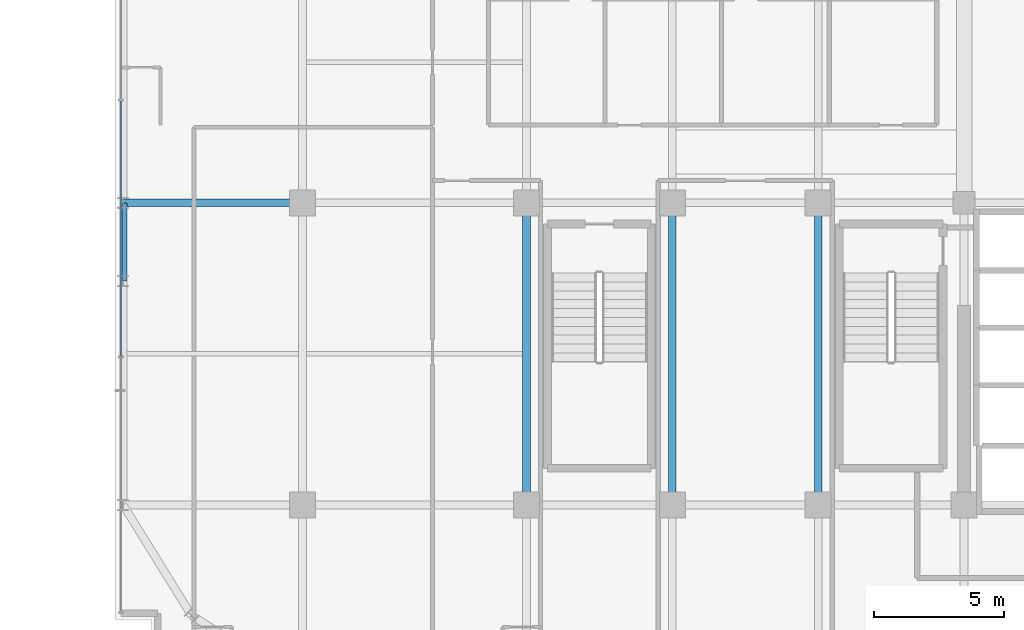
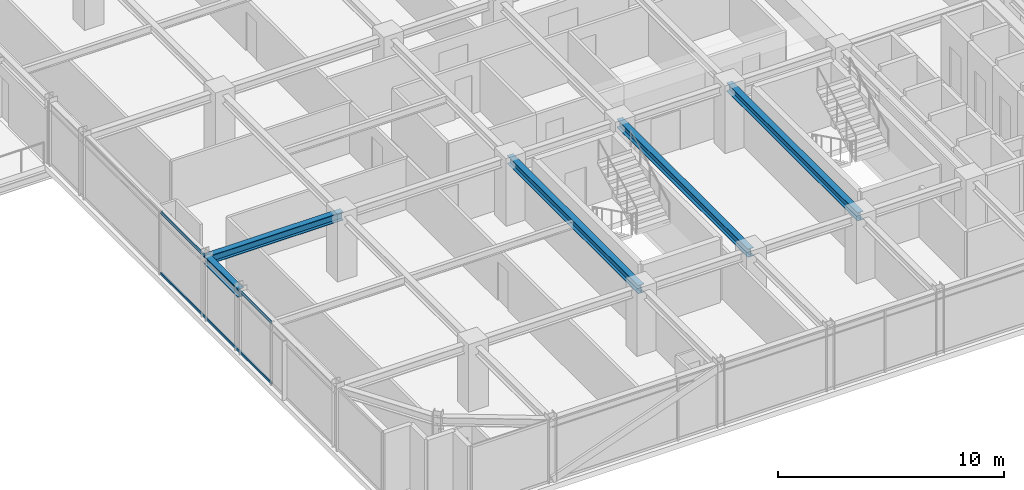
# One storey, part 9 of 36: 5 beams, 2 members, 1 element without a shape of its own.
"""IFC4 building model written with IfcOpenShell, lengths in metres."""

from ifc_helpers import new_model, si_unit, direction, frame, origin, origin_2d, place, context, subcontext, project, spatial, hollow_rectangle, i_section, extrude, source, transform, mapped, material, material_profile, profile_set, type_object, element, aggregate, save


model = new_model("IFC4")

# Units and contexts
model_context = context("Model", 3, precision=1e-05, world=origin(), true_north=direction((0.0, 1.0)))
body_context = subcontext(model_context, "Body", "Model", "MODEL_VIEW")
ifc_project = project(units=[si_unit("LENGTHUNIT", "METRE"), si_unit("AREAUNIT", "SQUARE_METRE"), si_unit("VOLUMEUNIT", "CUBIC_METRE"), si_unit("PLANEANGLEUNIT", "RADIAN"), si_unit("MASSUNIT", "GRAM", prefix="KILO")], contexts=[model_context])

# Site, building, storey
site_placement = place(None, origin())
site = spatial("IfcSite", under=ifc_project, at=site_placement, CompositionType="ELEMENT")
building_placement = place(site_placement, origin())
building = spatial("IfcBuilding", under=site, at=building_placement, Name="Nahalor Promenade Grand Hotel", CompositionType="ELEMENT")
storey_placement = place(building_placement, frame((0.0, 0.0, 212.300048828125)))
storey = spatial("IfcBuildingStorey", under=building, at=storey_placement, Name="L54", CompositionType="ELEMENT", Elevation=212.300048828125)

# Beams
ifc_material_1 = material(Name="Steel S355JR", Category="steel")
ifc_material_profile_1 = material_profile(ifc_material_1, i_section(OverallWidth=0.3, OverallDepth=0.45, WebThickness=0.014, FlangeThickness=0.026, at=origin_2d()), Name="HEB 450")
ifc_profile_set_1 = profile_set([ifc_material_profile_1], Name="Steel S355JR")
beam_type_1 = type_object("IfcBeamType", Name="Beam-Spandrel-HEB450", PredefinedType="SPANDREL", material=ifc_profile_set_1)
shared_shape_1 = source(origin(), body_context, "Body", "SweptSolid", [
    extrude(i_section(OverallWidth=0.3, OverallDepth=0.45, WebThickness=0.014, FlangeThickness=0.026, at=origin_2d()), origin(), (0.0, 0.0, 1.0), 3.0),
])
beam_1_placement = place(storey_placement, frame((-23.8798828125, -8.39990234375, 3.18505859375), z_axis=(0.0, 1.0, 0.0), x_axis=(-1.0, 0.0, 0.0)))
element("IfcBeam", 1, at=beam_1_placement, inside=storey, type_object=beam_type_1, Name="BM-L54-SP-W-1", PredefinedType="SPANDREL", context=body_context, shape_type="MappedRepresentation", body=[
    mapped(shared_shape_1, transform((0.0, 0.0, 0.0), scale=1.0)),
])
ifc_material_profile_2 = material_profile(ifc_material_1, i_section(OverallWidth=0.3, OverallDepth=0.45, WebThickness=0.014, FlangeThickness=0.026, at=origin_2d()), Name="HEB 450")
ifc_profile_set_2 = profile_set([ifc_material_profile_2], Name="Steel S355JR")
beam_type_2 = type_object("IfcBeamType", Name="Beam-Girder-HEB450", PredefinedType="BEAM", material=ifc_profile_set_2)
shared_shape_2 = source(origin(), body_context, "Body", "SweptSolid", [
    extrude(i_section(OverallWidth=0.3, OverallDepth=0.45, WebThickness=0.014, FlangeThickness=0.026, at=origin_2d()), origin(), (0.0, 0.0, 1.0), 6.8798828125),
])
beam_2_placement = place(storey_placement, frame((-23.8798828125, -5.39990234375, 3.18505859375), z_axis=(1.0, 0.0, 0.0), x_axis=(0.0, 1.0, 0.0)))
element("IfcBeam", 2, at=beam_2_placement, inside=storey, type_object=beam_type_2, Name="BM-L54-GX-1-0", PredefinedType="BEAM", context=body_context, shape_type="MappedRepresentation", body=[
    mapped(shared_shape_2, transform((0.0, 0.0, 0.0), scale=1.0)),
])
shared_shape_3 = source(origin(), body_context, "Body", "SweptSolid", [
    extrude(i_section(OverallWidth=0.3, OverallDepth=0.45, WebThickness=0.014, FlangeThickness=0.026, at=origin_2d()), origin(), (0.0, 0.0, 1.0), 11.60009765625),
])
for number, where, z_axis, x_axis, name in (
    (3, (-8.39990234375, -17.0, 3.18505859375), (0.0, 1.0, 0.0), (-1.0, 0.0, 0.0), "BM-L54-GY-1-1"),
    (4, (-2.800048828125, -17.0, 3.18505859375), (0.0, 1.0, 0.0), (-1.0, 0.0, 0.0), "BM-L54-GY-2-1"),
    (5, (2.800048828125, -17.0, 3.18505859375), (0.0, 1.0, 0.0), (-1.0, 0.0, 0.0), "BM-L54-GY-3-1"),
):
    element("IfcBeam", number, at=place(storey_placement, frame(where, z_axis=z_axis, x_axis=x_axis)), inside=storey, type_object=beam_type_2, Name=name, PredefinedType="BEAM", context=body_context, shape_type="MappedRepresentation", body=[
        mapped(shared_shape_3, transform((0.0, 0.0, 0.0), scale=1.0)),
    ])

# Curtain wall, members
ifc_material_2 = material(Name="Anodised Bronze Aluminium EN AW-6063 T6", Category="aluminium")
curtain_wall_type = type_object("IfcCurtainWallType", Name="CW2 Typical Hotel Flush Bronze Unitised Curtain Wall", PredefinedType="USERDEFINED", material=ifc_material_2)
curtain_wall_placement = place(storey_placement, origin())
curtain_wall = element("IfcCurtainWall", 6, at=curtain_wall_placement, inside=storey, type_object=curtain_wall_type, Name="L54 Curtain Wall CW-L54-W-1", ObjectType="UNITISED_CURTAIN_WALL", PredefinedType="USERDEFINED")
ifc_material_profile_3 = material_profile(ifc_material_2, hollow_rectangle(XDim=0.065, YDim=0.13, WallThickness=0.004, at=origin_2d()), Name="CWT 65x130x4")
ifc_profile_set_3 = profile_set([ifc_material_profile_3], Name="Anodised Bronze Aluminium EN AW-6063 T6")
member_type = type_object("IfcMemberType", Name="CWT2 Typical Bronze Transom 65x130", PredefinedType="USERDEFINED", material=ifc_profile_set_3)
shared_shape_4 = source(origin(), body_context, "Body", "SweptSolid", [
    extrude(hollow_rectangle(XDim=0.065, YDim=0.13, WallThickness=0.004, at=origin_2d()), origin(), (0.0, 0.0, 1.0), 9.788330078125),
])
member_1_placement = place(storey_placement, frame((-23.9599609375, -11.274169921875, 0.06494140625), z_axis=(0.0, 1.0, 0.0), x_axis=(-1.0, 0.0, 0.0)))
member_1 = element("IfcMember", 7, at=member_1_placement, type_object=member_type, Name="CW-L54-W-1 Transom 1-0", ObjectType="TRANSOM", PredefinedType="USERDEFINED", context=body_context, shape_type="MappedRepresentation", body=[
    mapped(shared_shape_4, transform((0.0, 0.0, 0.0), scale=1.0)),
])
member_2_placement = place(storey_placement, frame((-23.9599609375, -11.274169921875, 3.344970703125), z_axis=(0.0, 1.0, 0.0), x_axis=(-1.0, 0.0, 0.0)))
member_2 = element("IfcMember", 8, at=member_2_placement, type_object=member_type, Name="CW-L54-W-1 Transom 1-1", ObjectType="TRANSOM", PredefinedType="USERDEFINED", context=body_context, shape_type="MappedRepresentation", body=[
    mapped(shared_shape_4, transform((0.0, 0.0, 0.0), scale=1.0)),
])
aggregate(curtain_wall, [member_1, member_2])

save(model, "model.ifc")
